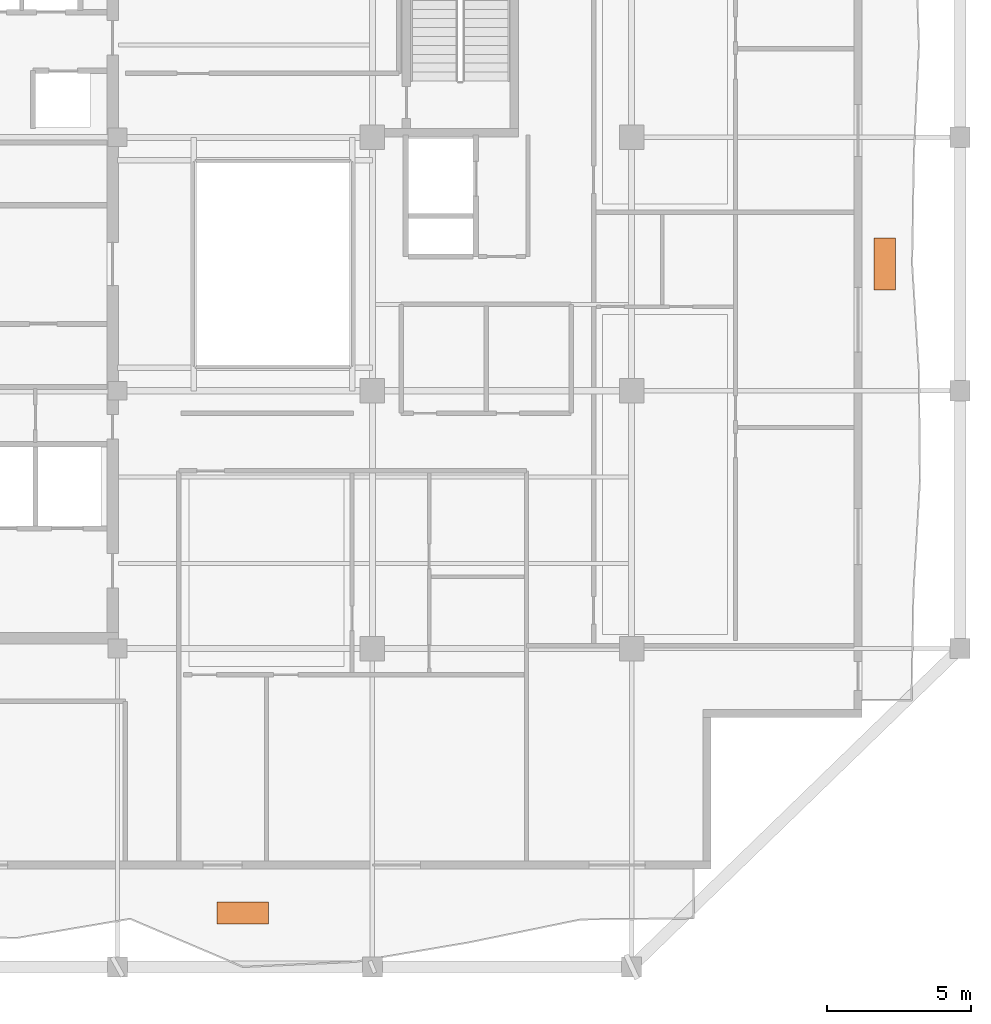
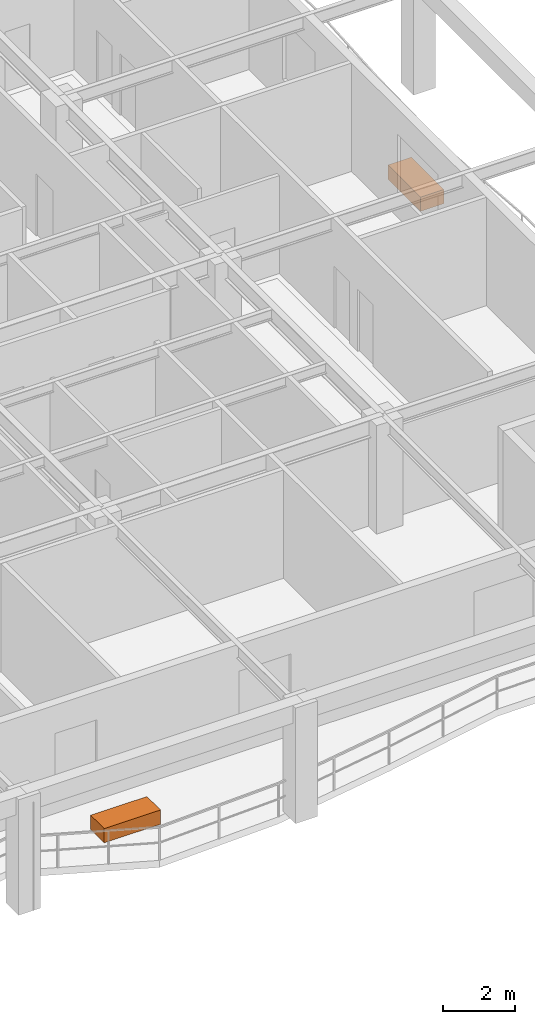
# One storey, part 12 of 12: 2 proxies.
"""IFC4 building model written with IfcOpenShell, lengths in metres."""

from ifc_helpers import new_model, si_unit, direction, frame, origin, origin_2d, place, context, subcontext, project, spatial, rectangle, extrude, material, type_object, element, save


model = new_model("IFC4")

# Units and contexts
model_context = context("Model", 3, precision=1e-05, world=origin(), true_north=direction((0.0, 1.0)))
body_context = subcontext(model_context, "Body", "Model", "MODEL_VIEW")
ifc_project = project(units=[si_unit("LENGTHUNIT", "METRE"), si_unit("AREAUNIT", "SQUARE_METRE"), si_unit("VOLUMEUNIT", "CUBIC_METRE"), si_unit("PLANEANGLEUNIT", "RADIAN"), si_unit("MASSUNIT", "GRAM", prefix="KILO")], contexts=[model_context])

# Site, building, storey
site_placement = place(None, origin())
site = spatial("IfcSite", under=ifc_project, at=site_placement, CompositionType="ELEMENT")
building_placement = place(site_placement, origin())
building = spatial("IfcBuilding", under=site, at=building_placement, Name="Kundavana Baori Tower", CompositionType="ELEMENT")
storey_placement = place(building_placement, frame((0.0, 0.0, 237.5)))
storey = spatial("IfcBuildingStorey", under=building, at=storey_placement, Name="L58", CompositionType="ELEMENT", Elevation=237.5)

# Proxies
ifc_material = material(Name="Red-Buff Dholpur Sandstone Cladding on Concrete C40/50", Category="masonry")
building_element_proxy_type = type_object("IfcBuildingElementProxyType", Name="PRX-PLANTER-1800", PredefinedType="USERDEFINED", material=ifc_material)
for number, where, z_axis, x_axis, name in (
    (1, (29.300048828125, 6.070068359375, 0.0), (0.0, 0.0, 1.0), (1.0, 0.0, 0.0), "L58 Dholpur Stone Structural Tree Planter S"),
    (2, (51.5849609375, 28.60009765625, 0.0), (0.0, 0.0, 1.0), (0.0, 1.0, 0.0), "L58 Dholpur Stone Structural Tree Planter E"),
):
    element("IfcBuildingElementProxy", number, at=place(storey_placement, frame(where, z_axis=z_axis, x_axis=x_axis)), inside=storey, type_object=building_element_proxy_type, Name=name, ObjectType="PLANTER", PredefinedType="USERDEFINED", context=body_context, shape_type="SweptSolid", body=[
        extrude(rectangle(XDim=1.800048828125, YDim=0.75, at=origin_2d()), origin(), (0.0, 0.0, 1.0), 0.47998046875),
    ])

save(model, "model.ifc")
